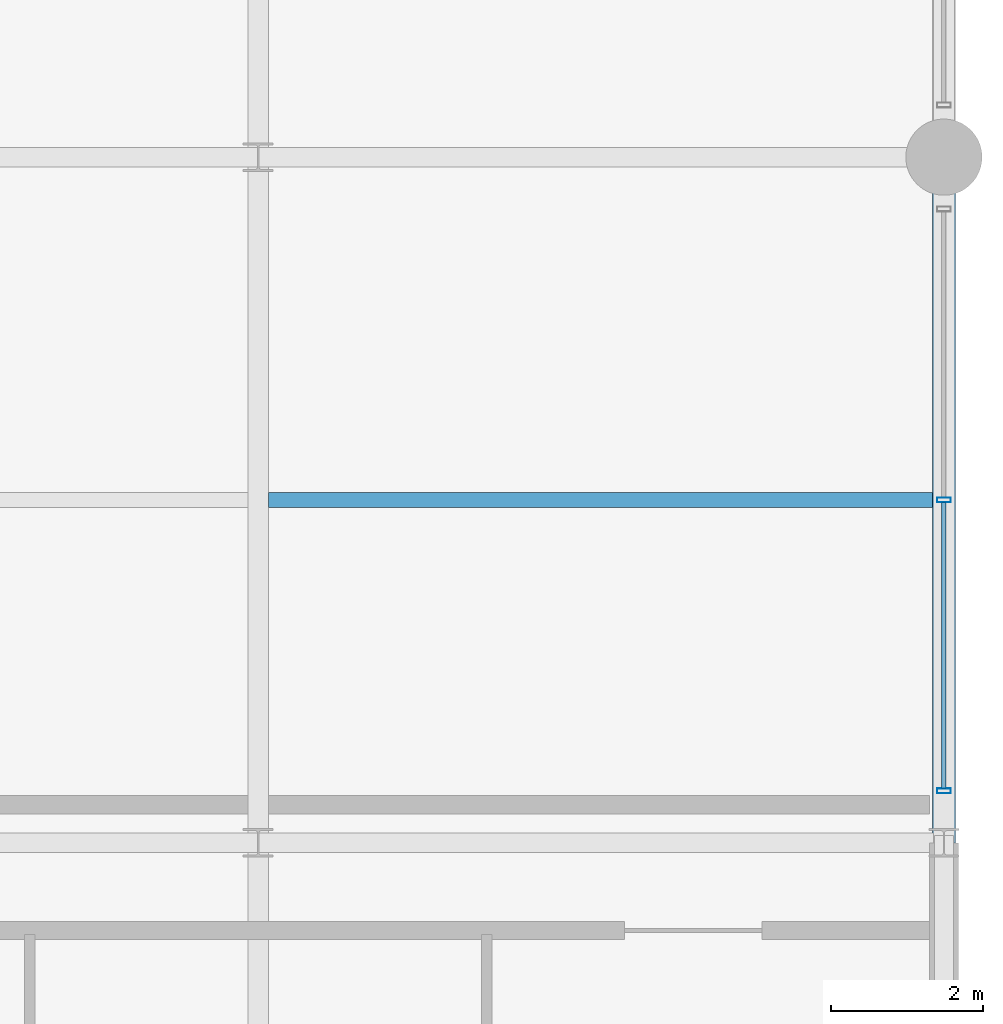
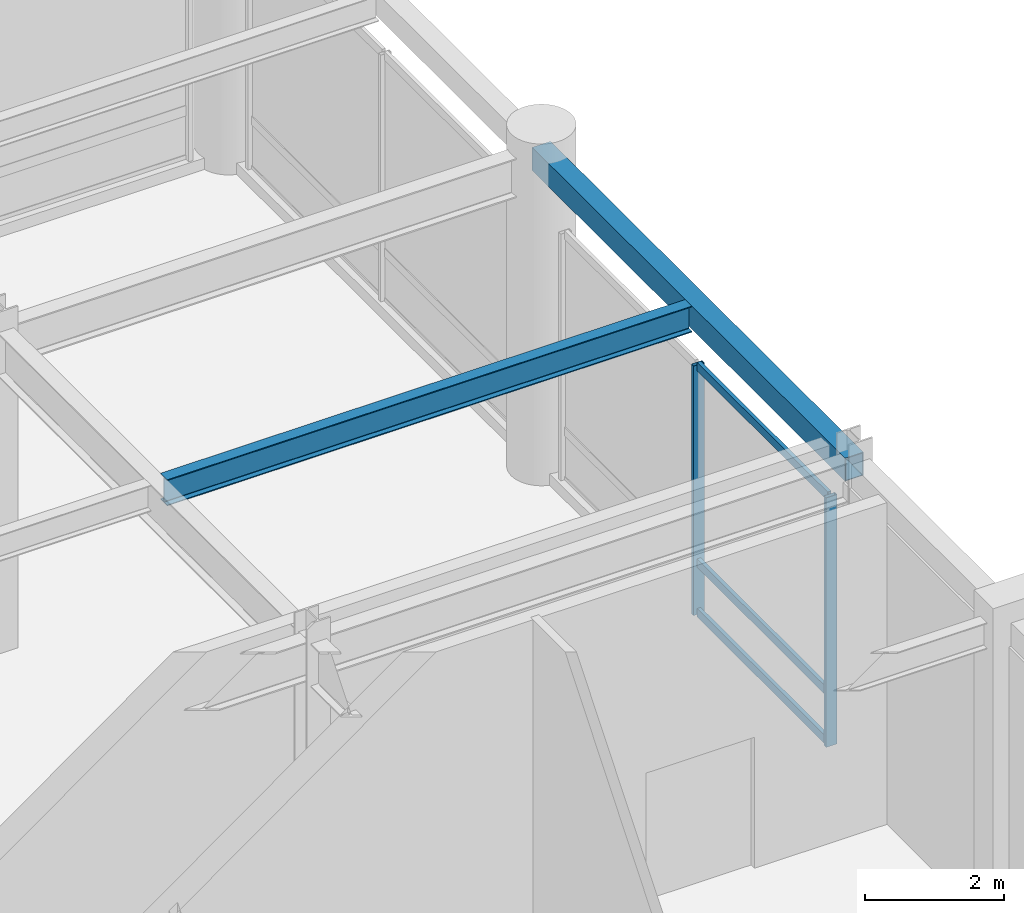
# One storey, part 56 of 108: 5 members, 2 beams, 1 element without a shape of its own.
"""IFC4 building model written with IfcOpenShell, lengths in metres."""

from ifc_helpers import new_model, si_unit, direction, frame, origin, origin_2d, place, context, subcontext, project, spatial, hollow_rectangle, i_section, extrude, material, material_profile, profile_set, type_object, element, aggregate, save


model = new_model("IFC4")

# Units and contexts
model_context = context("Model", 3, precision=1e-05, world=origin(), true_north=direction((0.0, 1.0)))
body_context = subcontext(model_context, "Body", "Model", "MODEL_VIEW")
ifc_project = project(units=[si_unit("LENGTHUNIT", "METRE"), si_unit("AREAUNIT", "SQUARE_METRE"), si_unit("VOLUMEUNIT", "CUBIC_METRE"), si_unit("PLANEANGLEUNIT", "RADIAN"), si_unit("MASSUNIT", "GRAM", prefix="KILO")], contexts=[model_context])

# Site, building, storey
site_placement = place(None, origin())
site = spatial("IfcSite", under=ifc_project, at=site_placement, CompositionType="ELEMENT")
building_placement = place(site_placement, origin())
building = spatial("IfcBuilding", under=site, at=building_placement, Name="Kaldorvane Square Convention Centre", CompositionType="ELEMENT")
storey_placement = place(building_placement, frame((0.0, 0.0, 12.0)))
storey = spatial("IfcBuildingStorey", under=building, at=storey_placement, Name="L02", CompositionType="ELEMENT", Elevation=12.0)

# Beams
ifc_material_1 = material(Name="Steel ASTM A992 Gr. 50", Category="steel")
ifc_material_profile_1 = material_profile(ifc_material_1, i_section(OverallWidth=0.1912994384765625, OverallDepth=0.4600067138671875, WebThickness=0.0099029541015625, FlangeThickness=0.0160064697265625, FilletRadius=0.01019287109375, at=origin_2d()), Name="W18X55")
ifc_profile_set_1 = profile_set([ifc_material_profile_1], Name="Steel ASTM A992 Gr. 50")
beam_type_1 = type_object("IfcBeamType", Name="BM-JS-W18X55", PredefinedType="JOIST", material=ifc_profile_set_1)
beam_1_placement = place(storey_placement, frame((165.13330078125, 22.5, 5.4160003662109375), z_axis=(1.0, 0.0, 0.0), x_axis=(0.0, 1.0, 0.0)))
element("IfcBeam", 1, at=beam_1_placement, inside=storey, type_object=beam_type_1, Name="Secondary Floor Joist (L02)", PredefinedType="JOIST", context=body_context, shape_type="SweptSolid", body=[
    extrude(i_section(OverallWidth=0.1912994384765625, OverallDepth=0.4600067138671875, WebThickness=0.0099029541015625, FlangeThickness=0.0160064697265625, FilletRadius=0.01019287109375, at=origin_2d()), origin(), (0.0, 0.0, 1.0), 8.71429443359375),
])
ifc_material_2 = material(Name="Steel ASTM A500 Gr. C", Category="steel")
ifc_material_profile_2 = material_profile(ifc_material_2, hollow_rectangle(XDim=0.3047943115234375, YDim=0.406402587890625, WallThickness=0.0117950439453125, at=origin_2d()), Name="HSS16X12X1/2")
ifc_profile_set_2 = profile_set([ifc_material_profile_2], Name="Steel ASTM A500 Gr. C")
beam_type_2 = type_object("IfcBeamType", Name="BM-SP-HSS16", PredefinedType="SPANDREL", material=ifc_profile_set_2)
beam_2_placement = place(storey_placement, frame((174.0, 18.0, 5.4427947998046875), z_axis=(0.0, 1.0, 0.0), x_axis=(-1.0, 0.0, 0.0)))
element("IfcBeam", 2, at=beam_2_placement, inside=storey, type_object=beam_type_2, Name="End Spandrel (L02)", PredefinedType="SPANDREL", context=body_context, shape_type="SweptSolid", body=[
    extrude(hollow_rectangle(XDim=0.3047943115234375, YDim=0.406402587890625, WallThickness=0.0117950439453125, at=origin_2d()), origin(), (0.0, 0.0, 1.0), 9.0),
])

# Curtain wall, members
ifc_material_3 = material(Name="Anodized Aluminum and Low-E Insulated Glazing", Category="aluminium")
curtain_wall_type = type_object("IfcCurtainWallType", Name="CW-UNI-P60-09", PredefinedType="USERDEFINED", material=ifc_material_3)
curtain_wall_placement = place(storey_placement, origin())
curtain_wall = element("IfcCurtainWall", 3, at=curtain_wall_placement, inside=storey, type_object=curtain_wall_type, Name="Curtain Wall CW-02 (L02)", ObjectType="UNITISED GLAZING", PredefinedType="USERDEFINED")
ifc_material_profile_3 = material_profile(ifc_material_3, hollow_rectangle(XDim=0.06500244140625, YDim=0.17999267578125, WallThickness=0.0034942626953125, at=origin_2d()), Name="CWM-180X65")
ifc_profile_set_3 = profile_set([ifc_material_profile_3], Name="Anodized Aluminum and Low-E Insulated Glazing")
member_type_1 = type_object("IfcMemberType", Name="CW-MUL-180", PredefinedType="MULLION", material=ifc_profile_set_3)
member_1_placement = place(storey_placement, frame((174.0, 18.6824951171875, 0.149993896484375), z_axis=(0.0, 0.0, 1.0), x_axis=(0.0, 1.0, 0.0)))
member_1 = element("IfcMember", 4, at=member_1_placement, type_object=member_type_1, Name="CW-02 mullion 1", PredefinedType="MULLION", context=body_context, shape_type="SweptSolid", body=[
    extrude(hollow_rectangle(XDim=0.06500244140625, YDim=0.17999267578125, WallThickness=0.0034942626953125, at=origin_2d()), origin(), (0.0, 0.0, 1.0), 4.3800048828125),
])
member_2_placement = place(storey_placement, frame((174.0, 22.5, 0.149993896484375), z_axis=(0.0, 0.0, 1.0), x_axis=(0.0, 1.0, 0.0)))
member_2 = element("IfcMember", 5, at=member_2_placement, type_object=member_type_1, Name="CW-02 mullion 2", PredefinedType="MULLION", context=body_context, shape_type="SweptSolid", body=[
    extrude(hollow_rectangle(XDim=0.06500244140625, YDim=0.17999267578125, WallThickness=0.0034942626953125, at=origin_2d()), origin(), (0.0, 0.0, 1.0), 4.3800048828125),
])
ifc_material_profile_4 = material_profile(ifc_material_3, hollow_rectangle(XDim=0.05999755859375, YDim=0.149993896484375, WallThickness=0.003204345703125, at=origin_2d()), Name="CWT-150X60")
ifc_profile_set_4 = profile_set([ifc_material_profile_4], Name="Anodized Aluminum and Low-E Insulated Glazing")
member_type_2 = type_object("IfcMemberType", Name="CW-TRN-150", PredefinedType="USERDEFINED", material=ifc_profile_set_4)
member_3_placement = place(storey_placement, frame((174.0, 18.714996337890625, 0.17999267578125), z_axis=(0.0, 1.0, 0.0), x_axis=(-1.0, 0.0, 0.0)))
member_3 = element("IfcMember", 6, at=member_3_placement, type_object=member_type_2, Name="CW-02 transom 1.1", ObjectType="TRANSOM", PredefinedType="USERDEFINED", context=body_context, shape_type="SweptSolid", body=[
    extrude(hollow_rectangle(XDim=0.05999755859375, YDim=0.149993896484375, WallThickness=0.003204345703125, at=origin_2d()), origin(), (0.0, 0.0, 1.0), 3.75250244140625),
])
member_4_placement = place(storey_placement, frame((174.0, 18.714996337890625, 1.0500030517578125), z_axis=(0.0, 1.0, 0.0), x_axis=(-1.0, 0.0, 0.0)))
member_4 = element("IfcMember", 7, at=member_4_placement, type_object=member_type_2, Name="CW-02 transom 1.2", ObjectType="TRANSOM", PredefinedType="USERDEFINED", context=body_context, shape_type="SweptSolid", body=[
    extrude(hollow_rectangle(XDim=0.05999755859375, YDim=0.149993896484375, WallThickness=0.003204345703125, at=origin_2d()), origin(), (0.0, 0.0, 1.0), 3.75250244140625),
])
member_5_placement = place(storey_placement, frame((174.0, 18.714996337890625, 4.5), z_axis=(0.0, 1.0, 0.0), x_axis=(-1.0, 0.0, 0.0)))
member_5 = element("IfcMember", 8, at=member_5_placement, type_object=member_type_2, Name="CW-02 transom 1.3", ObjectType="TRANSOM", PredefinedType="USERDEFINED", context=body_context, shape_type="SweptSolid", body=[
    extrude(hollow_rectangle(XDim=0.05999755859375, YDim=0.149993896484375, WallThickness=0.003204345703125, at=origin_2d()), origin(), (0.0, 0.0, 1.0), 3.75250244140625),
])
aggregate(curtain_wall, [member_1, member_2, member_3, member_4, member_5])

save(model, "model.ifc")
